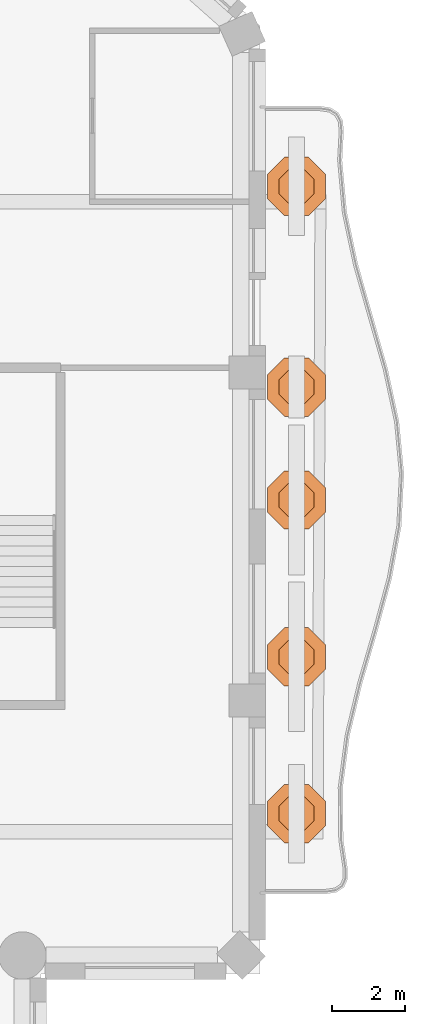
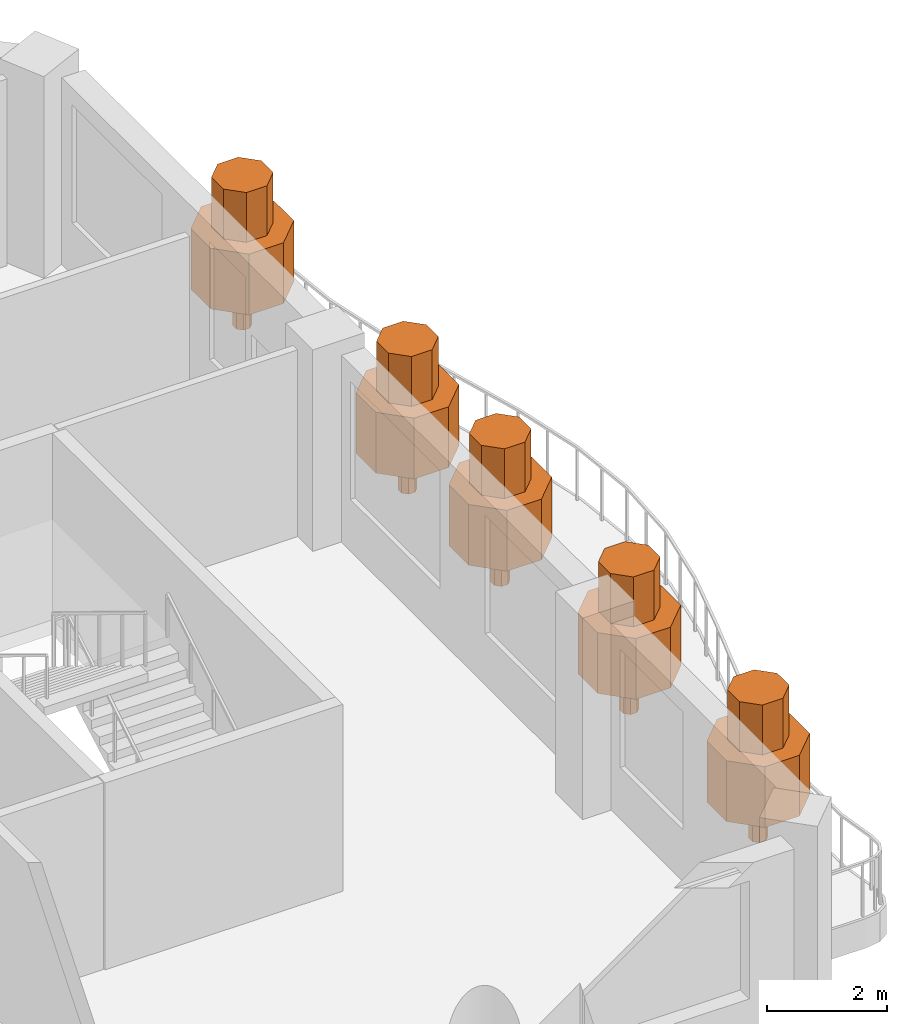
# One storey, part 14 of 14: 5 geographic elements.
"""IFC4 building model written with IfcOpenShell, lengths in metres."""

from ifc_helpers import new_model, si_unit, direction, frame, origin, place, context, subcontext, project, spatial, polyline, outline, extrude, material, type_object, element, save


model = new_model("IFC4")

# Units and contexts
model_context = context("Model", 3, precision=1e-05, world=origin(), true_north=direction((0.0, 1.0)))
body_context = subcontext(model_context, "Body", "Model", "MODEL_VIEW")
ifc_project = project(units=[si_unit("LENGTHUNIT", "METRE"), si_unit("AREAUNIT", "SQUARE_METRE"), si_unit("VOLUMEUNIT", "CUBIC_METRE"), si_unit("PLANEANGLEUNIT", "RADIAN"), si_unit("MASSUNIT", "GRAM", prefix="KILO")], contexts=[model_context])

# Site, building, storey
site_placement = place(None, origin())
site = spatial("IfcSite", under=ifc_project, at=site_placement, CompositionType="ELEMENT")
building_placement = place(site_placement, origin())
building = spatial("IfcBuilding", under=site, at=building_placement, Name="Cypress Arch Tower", CompositionType="ELEMENT")
storey_placement = place(building_placement, frame((0.0, 0.0, 255.699951171875)))
storey = spatial("IfcBuildingStorey", under=building, at=storey_placement, Name="L57", CompositionType="ELEMENT", Elevation=255.699951171875)

# Geographic elements
ifc_material = material(Name="Foliage and planting")
geographic_element_type = type_object("IfcGeographicElementType", Name="Balcony tree TR", PredefinedType="USERDEFINED", material=ifc_material)
for number, where, z_axis, x_axis, name in (
    (1, (25.60009765625, -7.60009765625, 0.60009765625), (0.0, 0.0, 1.0), (1.0, 0.0, 0.0), "Balcony tree L57-C17.1"),
    (2, (25.60009765625, -3.300048828125, 0.60009765625), (0.0, 0.0, 1.0), (1.0, 0.0, 0.0), "Balcony tree L57-C17.2"),
    (3, (25.60009765625, 1.0, 0.60009765625), (0.0, 0.0, 1.0), (1.0, 0.0, 0.0), "Balcony tree L57-C17.3"),
    (4, (25.60009765625, 4.095703125, 0.60009765625), (0.0, 0.0, 1.0), (1.0, 0.0, 0.0), "Balcony tree L57-C17.4"),
    (5, (25.60009765625, 9.60009765625, 0.60009765625), (0.0, 0.0, 1.0), (1.0, 0.0, 0.0), "Balcony tree L57-C17.5"),
):
    element("IfcGeographicElement", number, at=place(storey_placement, frame(where, z_axis=z_axis, x_axis=x_axis)), inside=storey, type_object=geographic_element_type, Name=name, ObjectType="TREE", PredefinedType="USERDEFINED", context=body_context, shape_type="SweptSolid", body=[
        extrude(outline(polyline([(0.14990234375, 0.06201171875), (0.06201171875, 0.14990234375), (-0.06201171875, 0.14990234375), (-0.14990234375, 0.06201171875), (-0.14990234375, -0.06201171875), (-0.06201171875, -0.14990234375), (0.06201171875, -0.14990234375), (0.14990234375, -0.06201171875), (0.14990234375, 0.06201171875)])), origin(), (0.0, 0.0, 1.0), 0.89990234375),
        extrude(outline(polyline([(0.800048828125, 0.331298828125), (0.331298828125, 0.800048828125), (-0.331298828125, 0.800048828125), (-0.800048828125, 0.331298828125), (-0.800048828125, -0.331298828125), (-0.331298828125, -0.800048828125), (0.331298828125, -0.800048828125), (0.800048828125, -0.331298828125), (0.800048828125, 0.331298828125)])), frame((0.0, 0.0, 0.800048828125)), (0.0, 0.0, 1.0), 1.237548828125),
        extrude(outline(polyline([(0.47998046875, 0.19873046875), (0.19873046875, 0.47998046875), (-0.19873046875, 0.47998046875), (-0.47998046875, 0.19873046875), (-0.47998046875, -0.19873046875), (-0.19873046875, -0.47998046875), (0.19873046875, -0.47998046875), (0.47998046875, -0.19873046875), (0.47998046875, 0.19873046875)])), frame((0.0, 0.0, 2.03759765625)), (0.0, 0.0, 1.0), 1.012451171875),
    ])

save(model, "model.ifc")
